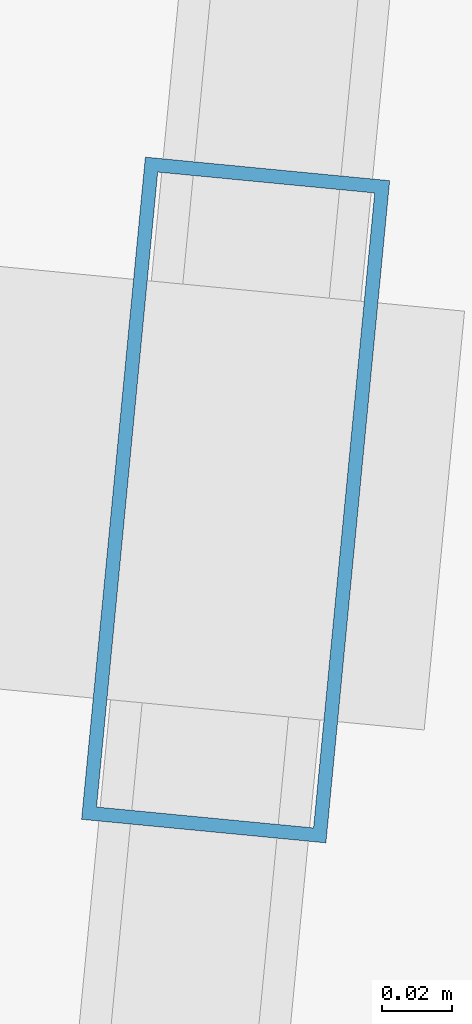
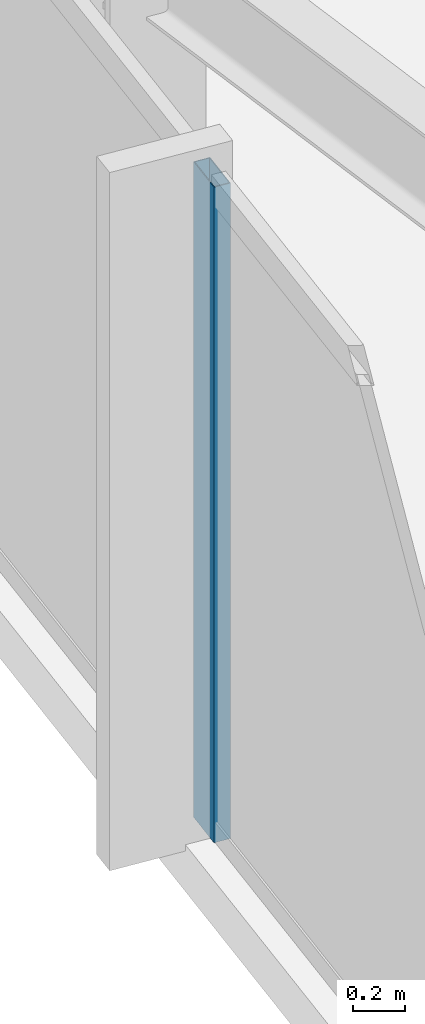
# One storey, part 4 of 38: 1 member, 1 element without a shape of its own.
"""IFC4 building model written with IfcOpenShell, lengths in metres."""

import ifcopenshell
import ifcopenshell.guid

model = None  # the IFC model being written
_history = None  # IfcOwnerHistory: only IFC2X3 demands one
_inside = {}  # id of a spatial element -> (the spatial element, [elements in it])
_under = {}  # id of a project, library or spatial element -> (it, [spatial elements below it])
_declared = {}  # id of a project -> (the project, [libraries it declares])
_typed = {}  # id of a type object -> (the type object, [elements of that type])
_made_of = {}  # id of a material, layer set ... -> (it, [elements and type objects made of it])


def new_model(schema):
    """Start an empty IFC model of exactly this schema.

    Asked for "IFC4X3", IfcOpenShell would pick the latest addendum, in which some entities
    have other attributes; the version numbers below select the first issue.
    IFC2X3 requires an IfcOwnerHistory on every rooted entity: one is made here for all.
    """
    global model, _history
    if schema == "IFC4X3":
        model = ifcopenshell.file(schema_version=(4, 3, 0, 0))
    else:
        model = ifcopenshell.file(schema=schema)
    _inside.clear()
    _under.clear()
    _declared.clear()
    _typed.clear()
    _made_of.clear()
    _history = None
    if model.schema == "IFC2X3":
        org = make("IfcOrganization", Name="unknown")
        user = make(
            "IfcPersonAndOrganization",
            ThePerson=make("IfcPerson", FamilyName="unknown"),
            TheOrganization=org,
        )
        app = make(
            "IfcApplication",
            ApplicationDeveloper=org,
            Version="unknown",
            ApplicationFullName="unknown",
            ApplicationIdentifier="unknown",
        )
        _history = make(
            "IfcOwnerHistory",
            OwningUser=user,
            OwningApplication=app,
            ChangeAction="ADDED",
            CreationDate=0,
        )
    return model


def make(cls, **values):
    """One entity of the class cls with the attributes given. An attribute that is None is left unset."""
    return model.create_entity(
        cls, **{name: value for name, value in values.items() if value is not None}
    )


def rooted(cls, **values):
    """An entity with a GlobalId (a new one), such as an element, a storey or a relation."""
    return make(cls, GlobalId=ifcopenshell.guid.new(), OwnerHistory=_history, **values)


def si_unit(unit_type, name, prefix=None):
    """IfcSIUnit, for example si_unit("LENGTHUNIT", "METRE", prefix="MILLI")."""
    return make("IfcSIUnit", UnitType=unit_type, Prefix=prefix, Name=name)


def assignment(units):
    """IfcUnitAssignment: the units of a project."""
    return None if units is None else make("IfcUnitAssignment", Units=units)


def point(xyz):
    """IfcCartesianPoint."""
    return None if xyz is None else make("IfcCartesianPoint", Coordinates=xyz)


def direction(xyz):
    """IfcDirection."""
    return None if xyz is None else make("IfcDirection", DirectionRatios=xyz)


def frame(location, z_axis=None, x_axis=None):
    """IfcAxis2Placement3D, a coordinate frame: its origin and axes. An axis left out is left unset."""
    return make(
        "IfcAxis2Placement3D",
        Location=point(location),
        Axis=direction(z_axis),
        RefDirection=direction(x_axis),
    )


def frame_2d(location, x_axis=None):
    """IfcAxis2Placement2D, a coordinate frame in the plane: its origin and x axis."""
    return make(
        "IfcAxis2Placement2D", Location=point(location), RefDirection=direction(x_axis)
    )


def origin():
    """The frame at (0, 0, 0) with its axes left unset."""
    return frame((0.0, 0.0, 0.0))


def origin_2d():
    """The frame at (0, 0) in the plane with its x axis left unset."""
    return frame_2d((0.0, 0.0))


def place(relative_to, where):
    """IfcLocalPlacement: puts the frame where relative to a parent placement (None: the world)."""
    return make(
        "IfcLocalPlacement", PlacementRelTo=relative_to, RelativePlacement=where
    )


def context(
    kind, dimensions, precision=None, world=None, true_north=None, identifier=None
):
    """IfcGeometricRepresentationContext, for example the 3D "Model" context."""
    return make(
        "IfcGeometricRepresentationContext",
        ContextIdentifier=identifier,
        ContextType=kind,
        CoordinateSpaceDimension=dimensions,
        Precision=precision,
        WorldCoordinateSystem=world,
        TrueNorth=true_north,
    )


def subcontext(parent, identifier, kind, view, scale=None):
    """IfcGeometricRepresentationSubContext, for example "Body" below "Model"."""
    return make(
        "IfcGeometricRepresentationSubContext",
        ContextIdentifier=identifier,
        ContextType=kind,
        ParentContext=parent,
        TargetScale=scale,
        TargetView=view,
    )


def project(units=None, contexts=None):
    """IfcProject with its units and contexts."""
    return rooted(
        "IfcProject",
        Name="project",
        RepresentationContexts=contexts,
        UnitsInContext=assignment(units),
    )


def spatial(cls, under=None, at=None, **own):
    """A site, building, storey or space (cls), placed at a placement, below another one or the project."""
    s = rooted(cls, ObjectPlacement=at, **own)
    if under is not None:
        _under.setdefault(under.id(), (under, []))[1].append(s)
    return s


def profile(cls, at=None, kind="AREA", **sizes):
    """A parametric profile (cls). Its sizes go by their IFC names, for example OverallWidth=200.0."""
    return make(cls, ProfileType=kind, Position=at, **sizes)


def hollow_rectangle(**sizes):
    """IfcRectangleHollowProfileDef."""
    return profile("IfcRectangleHollowProfileDef", **sizes)


def extrude(swept, where, along, depth):
    """IfcExtrudedAreaSolid: the profile swept, set in the frame where, extruded along a direction by depth."""
    return make(
        "IfcExtrudedAreaSolid",
        SweptArea=swept,
        Position=where,
        ExtrudedDirection=direction(along),
        Depth=depth,
    )


def shape(context_of_items, identifier, shape_type, items):
    """IfcShapeRepresentation: the items that make up one representation, for example the "Body"."""
    return make(
        "IfcShapeRepresentation",
        ContextOfItems=context_of_items,
        RepresentationIdentifier=identifier,
        RepresentationType=shape_type,
        Items=items,
    )


def material(Name=None, Category=None):
    """IfcMaterial."""
    return make("IfcMaterial", Name=Name, Category=Category)


def material_profile(
    of_material, cross_section, Name=None, Category=None, Priority=None
):
    """IfcMaterialProfile: a cross section and its material."""
    return make(
        "IfcMaterialProfile",
        Name=Name,
        Material=of_material,
        Profile=cross_section,
        Priority=Priority,
        Category=Category,
    )


def profile_set(profiles, Name=None, composite=None):
    """IfcMaterialProfileSet."""
    return make(
        "IfcMaterialProfileSet",
        Name=Name,
        MaterialProfiles=profiles,
        CompositeProfile=composite,
    )


def made_of(thing, what):
    """Note that an element or type object is made of a material, layer set ...; save() writes the relation."""
    if what is not None:
        _made_of.setdefault(what.id(), (what, []))[1].append(thing)
    return thing


def type_object(cls, material=None, **own):
    """A type object (cls), such as IfcWallType, which elements share."""
    return made_of(rooted(cls, **own), material)


def element(
    cls,
    number,
    at=None,
    inside=None,
    cuts=None,
    type_object=None,
    material=None,
    context=None,
    identifier="Body",
    shape_type=None,
    held_by="IfcProductDefinitionShape",
    body=None,
    shapes=None,
    **own,
):
    """One element of the class cls, such as IfcWall. Its Tag is "e" and its number.

    at: its placement. inside: the storey or other place that contains it. cuts: it is an
    opening in that element (IfcRelVoidsElement). A single representation is given by context,
    identifier, shape_type and body (its items); several are given by shapes. held_by: the class
    of the entity that holds the representations. save() writes the other relations.
    """
    e = rooted(cls, Tag="e%d" % number, ObjectPlacement=at, **own)
    if body is not None:
        shapes = [shape(context, identifier, shape_type, body)]
    if shapes is not None:
        e.Representation = make(held_by, Representations=shapes)
    if inside is not None:
        _inside.setdefault(inside.id(), (inside, []))[1].append(e)
    if cuts is not None:
        rooted(
            "IfcRelVoidsElement", RelatingBuildingElement=cuts, RelatedOpeningElement=e
        )
    if type_object is not None:
        _typed.setdefault(type_object.id(), (type_object, []))[1].append(e)
    return made_of(e, material)


def aggregate(whole, parts):
    """IfcRelAggregates: a whole, such as a stair, and the parts it consists of."""
    return rooted("IfcRelAggregates", RelatingObject=whole, RelatedObjects=parts)


def save(model, path):
    """Write the relations noted so far, then the file.

    IfcRelAggregates (storeys below a building ...), IfcRelContainedInSpatialStructure (elements
    in a storey), IfcRelDefinesByType, IfcRelAssociatesMaterial and IfcRelDeclares: one each for
    every whole, place, type object, material and project.
    """
    for whole, parts in _under.values():
        aggregate(whole, parts)
    for where, things in _inside.values():
        rooted(
            "IfcRelContainedInSpatialStructure",
            RelatedElements=things,
            RelatingStructure=where,
        )
    for kind, things in _typed.values():
        rooted("IfcRelDefinesByType", RelatedObjects=things, RelatingType=kind)
    for what, things in _made_of.values():
        rooted("IfcRelAssociatesMaterial", RelatedObjects=things, RelatingMaterial=what)
    for by, libraries in _declared.values():
        rooted("IfcRelDeclares", RelatingContext=by, RelatedDefinitions=libraries)
    model.write(path)


model = new_model("IFC4")

# Units and contexts
model_context = context("Model", 3, precision=1e-05, world=origin(), true_north=direction((0.0, 1.0)))
body_context = subcontext(model_context, "Body", "Model", "MODEL_VIEW")
ifc_project = project(units=[si_unit("LENGTHUNIT", "METRE"), si_unit("AREAUNIT", "SQUARE_METRE"), si_unit("VOLUMEUNIT", "CUBIC_METRE"), si_unit("PLANEANGLEUNIT", "RADIAN"), si_unit("MASSUNIT", "GRAM", prefix="KILO")], contexts=[model_context])

# Site, building, storey
site_placement = place(None, origin())
site = spatial("IfcSite", under=ifc_project, at=site_placement, CompositionType="ELEMENT")
building_placement = place(site_placement, origin())
building = spatial("IfcBuilding", under=site, at=building_placement, Name="Yelkora Congress Tower", CompositionType="ELEMENT")
storey_placement = place(building_placement, frame((0.0, 0.0, 185.300048828125)))
storey = spatial("IfcBuildingStorey", under=building, at=storey_placement, Name="L51", CompositionType="ELEMENT", Elevation=185.300048828125)

# Curtain wall, member
ifc_material_1 = material(Name="Anodised aluminium and insulated glass", Category="aluminium")
curtain_wall_type = type_object("IfcCurtainWallType", Name="CW-SYS-B3", PredefinedType="NOTDEFINED", material=ifc_material_1)
curtain_wall_placement = place(storey_placement, origin())
curtain_wall = element("IfcCurtainWall", 1, at=curtain_wall_placement, inside=storey, type_object=curtain_wall_type, Name="L51 Unitised Curtain Wall 5", PredefinedType="NOTDEFINED")
ifc_material_2 = material(Name="Anodised aluminium 6063-T6", Category="aluminium")
ifc_material_profile = material_profile(ifc_material_2, hollow_rectangle(XDim=0.070068359375, YDim=0.18994140625, WallThickness=0.00390625, at=origin_2d()), Name="ALU 70x190x4")
ifc_profile_set = profile_set([ifc_material_profile], Name="Anodised aluminium 6063-T6")
member_type = type_object("IfcMemberType", Name="MEM-ML-B3", PredefinedType="MULLION", material=ifc_profile_set)
member_placement = place(storey_placement, frame((1.9248046875, 22.962158203125, 0.0), z_axis=(0.0, 0.0, 1.0), x_axis=(-0.995396242473, 0.095845294465, 0.0)))
member = element("IfcMember", 2, at=member_placement, type_object=member_type, Name="CW-B3 mullion 2", PredefinedType="MULLION", context=body_context, shape_type="SweptSolid", body=[
    extrude(hollow_rectangle(XDim=0.070068359375, YDim=0.18994140625, WallThickness=0.00390625, at=origin_2d()), origin(), (0.0, 0.0, 1.0), 3.079833984375),
])
aggregate(curtain_wall, [member])

save(model, "model.ifc")
